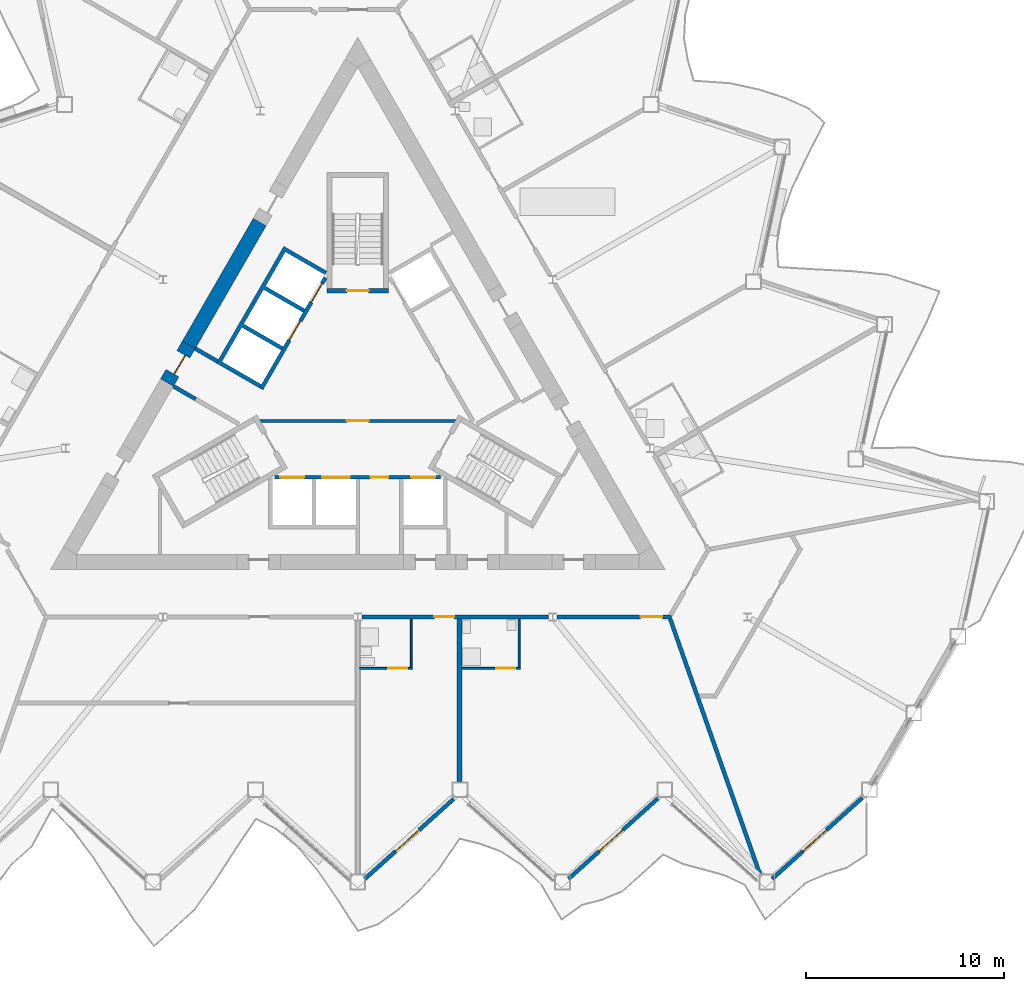
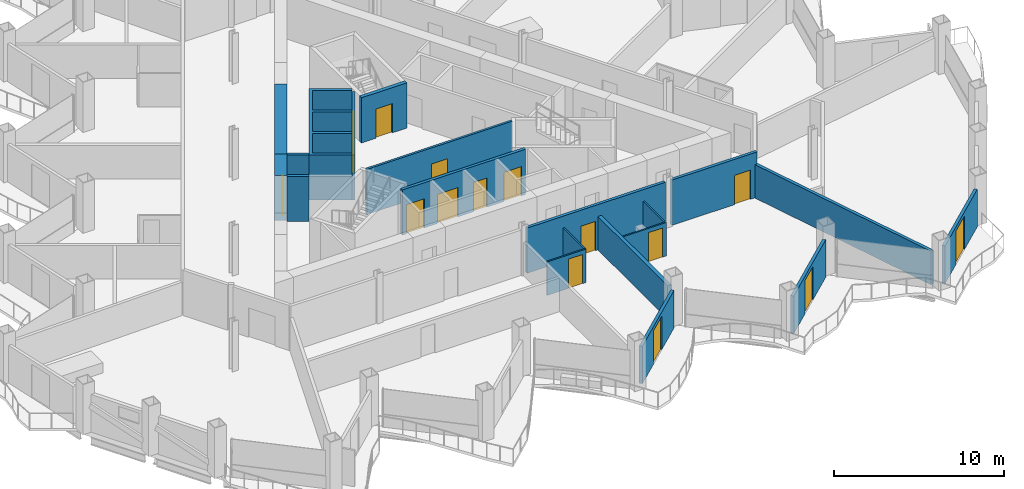
# One storey, part 11 of 22: 20 walls, 16 doors, 16 openings.
"""IFC4 building model written with IfcOpenShell, lengths in metres."""

import ifcopenshell
import ifcopenshell.guid

model = None  # the IFC model being written
_history = None  # IfcOwnerHistory: only IFC2X3 demands one
_inside = {}  # id of a spatial element -> (the spatial element, [elements in it])
_under = {}  # id of a project, library or spatial element -> (it, [spatial elements below it])
_declared = {}  # id of a project -> (the project, [libraries it declares])
_typed = {}  # id of a type object -> (the type object, [elements of that type])
_made_of = {}  # id of a material, layer set ... -> (it, [elements and type objects made of it])


def new_model(schema):
    """Start an empty IFC model of exactly this schema.

    Asked for "IFC4X3", IfcOpenShell would pick the latest addendum, in which some entities
    have other attributes; the version numbers below select the first issue.
    IFC2X3 requires an IfcOwnerHistory on every rooted entity: one is made here for all.
    """
    global model, _history
    if schema == "IFC4X3":
        model = ifcopenshell.file(schema_version=(4, 3, 0, 0))
    else:
        model = ifcopenshell.file(schema=schema)
    _inside.clear()
    _under.clear()
    _declared.clear()
    _typed.clear()
    _made_of.clear()
    _history = None
    if model.schema == "IFC2X3":
        org = make("IfcOrganization", Name="unknown")
        user = make(
            "IfcPersonAndOrganization",
            ThePerson=make("IfcPerson", FamilyName="unknown"),
            TheOrganization=org,
        )
        app = make(
            "IfcApplication",
            ApplicationDeveloper=org,
            Version="unknown",
            ApplicationFullName="unknown",
            ApplicationIdentifier="unknown",
        )
        _history = make(
            "IfcOwnerHistory",
            OwningUser=user,
            OwningApplication=app,
            ChangeAction="ADDED",
            CreationDate=0,
        )
    return model


def make(cls, **values):
    """One entity of the class cls with the attributes given. An attribute that is None is left unset."""
    return model.create_entity(
        cls, **{name: value for name, value in values.items() if value is not None}
    )


def rooted(cls, **values):
    """An entity with a GlobalId (a new one), such as an element, a storey or a relation."""
    return make(cls, GlobalId=ifcopenshell.guid.new(), OwnerHistory=_history, **values)


def si_unit(unit_type, name, prefix=None):
    """IfcSIUnit, for example si_unit("LENGTHUNIT", "METRE", prefix="MILLI")."""
    return make("IfcSIUnit", UnitType=unit_type, Prefix=prefix, Name=name)


def assignment(units):
    """IfcUnitAssignment: the units of a project."""
    return None if units is None else make("IfcUnitAssignment", Units=units)


def point(xyz):
    """IfcCartesianPoint."""
    return None if xyz is None else make("IfcCartesianPoint", Coordinates=xyz)


def direction(xyz):
    """IfcDirection."""
    return None if xyz is None else make("IfcDirection", DirectionRatios=xyz)


def frame(location, z_axis=None, x_axis=None):
    """IfcAxis2Placement3D, a coordinate frame: its origin and axes. An axis left out is left unset."""
    return make(
        "IfcAxis2Placement3D",
        Location=point(location),
        Axis=direction(z_axis),
        RefDirection=direction(x_axis),
    )


def frame_2d(location, x_axis=None):
    """IfcAxis2Placement2D, a coordinate frame in the plane: its origin and x axis."""
    return make(
        "IfcAxis2Placement2D", Location=point(location), RefDirection=direction(x_axis)
    )


def origin():
    """The frame at (0, 0, 0) with its axes left unset."""
    return frame((0.0, 0.0, 0.0))


def place(relative_to, where):
    """IfcLocalPlacement: puts the frame where relative to a parent placement (None: the world)."""
    return make(
        "IfcLocalPlacement", PlacementRelTo=relative_to, RelativePlacement=where
    )


def context(
    kind, dimensions, precision=None, world=None, true_north=None, identifier=None
):
    """IfcGeometricRepresentationContext, for example the 3D "Model" context."""
    return make(
        "IfcGeometricRepresentationContext",
        ContextIdentifier=identifier,
        ContextType=kind,
        CoordinateSpaceDimension=dimensions,
        Precision=precision,
        WorldCoordinateSystem=world,
        TrueNorth=true_north,
    )


def subcontext(parent, identifier, kind, view, scale=None):
    """IfcGeometricRepresentationSubContext, for example "Body" below "Model"."""
    return make(
        "IfcGeometricRepresentationSubContext",
        ContextIdentifier=identifier,
        ContextType=kind,
        ParentContext=parent,
        TargetScale=scale,
        TargetView=view,
    )


def project(units=None, contexts=None):
    """IfcProject with its units and contexts."""
    return rooted(
        "IfcProject",
        Name="project",
        RepresentationContexts=contexts,
        UnitsInContext=assignment(units),
    )


def spatial(cls, under=None, at=None, **own):
    """A site, building, storey or space (cls), placed at a placement, below another one or the project."""
    s = rooted(cls, ObjectPlacement=at, **own)
    if under is not None:
        _under.setdefault(under.id(), (under, []))[1].append(s)
    return s


def polyline(points):
    """IfcPolyline through the points."""
    return make("IfcPolyline", Points=[point(p) for p in points])


def profile(cls, at=None, kind="AREA", **sizes):
    """A parametric profile (cls). Its sizes go by their IFC names, for example OverallWidth=200.0."""
    return make(cls, ProfileType=kind, Position=at, **sizes)


def rectangle(**sizes):
    """IfcRectangleProfileDef."""
    return profile("IfcRectangleProfileDef", **sizes)


def outline(outer, holes=None, kind="AREA"):
    """IfcArbitraryClosedProfileDef: a profile drawn as a closed curve; with holes, ...WithVoids."""
    if holes is None:
        return make("IfcArbitraryClosedProfileDef", ProfileType=kind, OuterCurve=outer)
    return make(
        "IfcArbitraryProfileDefWithVoids",
        ProfileType=kind,
        OuterCurve=outer,
        InnerCurves=holes,
    )


def extrude(swept, where, along, depth):
    """IfcExtrudedAreaSolid: the profile swept, set in the frame where, extruded along a direction by depth."""
    return make(
        "IfcExtrudedAreaSolid",
        SweptArea=swept,
        Position=where,
        ExtrudedDirection=direction(along),
        Depth=depth,
    )


def shape(context_of_items, identifier, shape_type, items):
    """IfcShapeRepresentation: the items that make up one representation, for example the "Body"."""
    return make(
        "IfcShapeRepresentation",
        ContextOfItems=context_of_items,
        RepresentationIdentifier=identifier,
        RepresentationType=shape_type,
        Items=items,
    )


def material(Name=None, Category=None):
    """IfcMaterial."""
    return make("IfcMaterial", Name=Name, Category=Category)


def layer(
    of_material, thickness, ventilated=None, Name=None, Category=None, Priority=None
):
    """IfcMaterialLayer: one layer of a wall or slab, of a material (None: an air gap)."""
    return make(
        "IfcMaterialLayer",
        Material=of_material,
        LayerThickness=thickness,
        IsVentilated=ventilated,
        Name=Name,
        Category=Category,
        Priority=Priority,
    )


def layer_set(layers, Name=None):
    """IfcMaterialLayerSet."""
    return make("IfcMaterialLayerSet", MaterialLayers=layers, LayerSetName=Name)


def made_of(thing, what):
    """Note that an element or type object is made of a material, layer set ...; save() writes the relation."""
    if what is not None:
        _made_of.setdefault(what.id(), (what, []))[1].append(thing)
    return thing


def type_object(cls, material=None, **own):
    """A type object (cls), such as IfcWallType, which elements share."""
    return made_of(rooted(cls, **own), material)


def element(
    cls,
    number,
    at=None,
    inside=None,
    cuts=None,
    type_object=None,
    material=None,
    context=None,
    identifier="Body",
    shape_type=None,
    held_by="IfcProductDefinitionShape",
    body=None,
    shapes=None,
    **own,
):
    """One element of the class cls, such as IfcWall. Its Tag is "e" and its number.

    at: its placement. inside: the storey or other place that contains it. cuts: it is an
    opening in that element (IfcRelVoidsElement). A single representation is given by context,
    identifier, shape_type and body (its items); several are given by shapes. held_by: the class
    of the entity that holds the representations. save() writes the other relations.
    """
    e = rooted(cls, Tag="e%d" % number, ObjectPlacement=at, **own)
    if body is not None:
        shapes = [shape(context, identifier, shape_type, body)]
    if shapes is not None:
        e.Representation = make(held_by, Representations=shapes)
    if inside is not None:
        _inside.setdefault(inside.id(), (inside, []))[1].append(e)
    if cuts is not None:
        rooted(
            "IfcRelVoidsElement", RelatingBuildingElement=cuts, RelatedOpeningElement=e
        )
    if type_object is not None:
        _typed.setdefault(type_object.id(), (type_object, []))[1].append(e)
    return made_of(e, material)


def fill(opening, filler):
    """IfcRelFillsElement: the door or window that sits in an opening."""
    return rooted(
        "IfcRelFillsElement",
        RelatingOpeningElement=opening,
        RelatedBuildingElement=filler,
    )


def aggregate(whole, parts):
    """IfcRelAggregates: a whole, such as a stair, and the parts it consists of."""
    return rooted("IfcRelAggregates", RelatingObject=whole, RelatedObjects=parts)


def save(model, path):
    """Write the relations noted so far, then the file.

    IfcRelAggregates (storeys below a building ...), IfcRelContainedInSpatialStructure (elements
    in a storey), IfcRelDefinesByType, IfcRelAssociatesMaterial and IfcRelDeclares: one each for
    every whole, place, type object, material and project.
    """
    for whole, parts in _under.values():
        aggregate(whole, parts)
    for where, things in _inside.values():
        rooted(
            "IfcRelContainedInSpatialStructure",
            RelatedElements=things,
            RelatingStructure=where,
        )
    for kind, things in _typed.values():
        rooted("IfcRelDefinesByType", RelatedObjects=things, RelatingType=kind)
    for what, things in _made_of.values():
        rooted("IfcRelAssociatesMaterial", RelatedObjects=things, RelatingMaterial=what)
    for by, libraries in _declared.values():
        rooted("IfcRelDeclares", RelatingContext=by, RelatedDefinitions=libraries)
    model.write(path)


model = new_model("IFC4")

# Units and contexts
model_context = context("Model", 3, precision=1e-05, world=origin(), true_north=direction((0.0, 1.0)))
body_context = subcontext(model_context, "Body", "Model", "MODEL_VIEW")
ifc_project = project(units=[si_unit("LENGTHUNIT", "METRE"), si_unit("AREAUNIT", "SQUARE_METRE"), si_unit("VOLUMEUNIT", "CUBIC_METRE"), si_unit("PLANEANGLEUNIT", "RADIAN"), si_unit("MASSUNIT", "GRAM", prefix="KILO")], contexts=[model_context])

# Site, building, storey
site_placement = place(None, origin())
site = spatial("IfcSite", under=ifc_project, at=site_placement, CompositionType="ELEMENT")
building_placement = place(site_placement, origin())
building = spatial("IfcBuilding", under=site, at=building_placement, Name="Cormorant Prow Tower", CompositionType="ELEMENT")
storey_placement = place(building_placement, frame((0.0, 0.0, 198.0)))
storey = spatial("IfcBuildingStorey", under=building, at=storey_placement, Name="L43", CompositionType="ELEMENT", Elevation=198.0)

# Wall, opening, door
ifc_material_1 = material(Name="Gypsum board partition")
ifc_layer_1 = layer(ifc_material_1, 0.14990234375)
ifc_layer_set_1 = layer_set([ifc_layer_1], Name="Gypsum board partition")
wall_type_1 = type_object("IfcWallType", Name="Core partition 150", PredefinedType="PARTITIONING", material=ifc_layer_set_1)
wall_1_placement = place(storey_placement, frame((-4.941162109375, -1.449951171875, 0.0), z_axis=(0.0, 0.0, 1.0), x_axis=(1.0, 0.0, 0.0)))
wall_1 = element("IfcWall", 1, at=wall_1_placement, inside=storey, type_object=wall_type_1, Name="Firefighting lobby partition", PredefinedType="PARTITIONING", context=body_context, shape_type="SweptSolid", body=[
    extrude(rectangle(XDim=9.88232421875, YDim=0.14990234375, at=frame_2d((4.941162109375, 0.0))), origin(), (0.0, 0.0, 1.0), 3.25),
])
opening_1_placement = place(wall_1_placement, frame((4.39111328125, 0.0, 0.0)))
opening_1 = element("IfcOpeningElement", 2, at=opening_1_placement, cuts=wall_1, Name="Opening L43-C09", PredefinedType="OPENING", context=body_context, shape_type="SweptSolid", body=[
    extrude(rectangle(XDim=1.10009765625, YDim=2.10009765625, at=frame_2d((0.550048828125, 1.050048828125))), frame((0.0, 0.0849609375, 0.0), z_axis=(0.0, -1.0, 0.0), x_axis=(1.0, 0.0, 0.0)), (0.0, 0.0, 1.0), 0.169921875),
])
ifc_material_2 = material(Name="Painted steel", Category="steel")
door_type_1 = type_object("IfcDoorType", Name="Firefighting lobby door 1100x2100", OperationType="NOTDEFINED", PredefinedType="DOOR", material=ifc_material_2)
door_1_placement = place(opening_1_placement, origin())
door_1 = element("IfcDoor", 3, at=door_1_placement, inside=storey, type_object=door_type_1, Name="Firefighting lobby door", OperationType="SINGLE_SWING_RIGHT", OverallHeight=2.10009765625, OverallWidth=1.10009765625, PredefinedType="DOOR", context=body_context, shape_type="SweptSolid", body=[
    extrude(rectangle(XDim=1.10009765625, YDim=2.10009765625, at=frame_2d((0.550048828125, 1.050048828125))), frame((0.0, 0.02490234375, 0.0), z_axis=(0.0, -1.0, 0.0), x_axis=(1.0, 0.0, 0.0)), (0.0, 0.0, 1.0), 0.050048828125),
])
fill(opening_1, door_1)

# Wall
ifc_material_3 = material(Name="Concrete 8000 psi", Category="concrete")
ifc_layer_2 = layer(ifc_material_3, 0.75)
ifc_layer_set_2 = layer_set([ifc_layer_2], Name="Concrete 8000 psi")
wall_type_2 = type_object("IfcWallType", Name="Core shear wall 750", PredefinedType="SHEAR", material=ifc_layer_set_2)
wall_2_placement = place(storey_placement, frame((-4.949951171875, 8.57421875, 0.0), z_axis=(0.0, 0.0, 1.0), x_axis=(-0.499987463267, -0.866032641749, 0.0)))
element("IfcWall", 4, at=wall_2_placement, inside=storey, type_object=wall_type_2, Name="Core wall", PredefinedType="SHEAR", context=body_context, shape_type="SweptSolid", body=[
    extrude(rectangle(XDim=7.150634765625, YDim=0.75, at=frame_2d((3.5751953125, 0.0))), origin(), (0.0, 0.0, 1.0), 3.25),
])

# Wall, opening, door
wall_3_placement = place(storey_placement, frame((-8.525146484375, 2.381591796875, 0.0), z_axis=(0.0, 0.0, 1.0), x_axis=(-0.500077893725, -0.86598042715, 0.0)))
wall_3 = element("IfcWall", 5, at=wall_3_placement, inside=storey, type_object=wall_type_2, Name="Core wall door panel", PredefinedType="SHEAR", context=body_context, shape_type="SweptSolid", body=[
    extrude(rectangle(XDim=2.199951171875, YDim=0.75, at=frame_2d((1.10009765625, 0.0))), origin(), (0.0, 0.0, 1.0), 3.25),
])
opening_2_placement = place(wall_3_placement, frame((0.550048828125, 0.0, 0.0)))
opening_2 = element("IfcOpeningElement", 6, at=opening_2_placement, cuts=wall_3, Name="Opening L43-C21", PredefinedType="OPENING", context=body_context, shape_type="SweptSolid", body=[
    extrude(rectangle(XDim=1.10009765625, YDim=2.10009765625, at=frame_2d((0.550048828125, 1.050048828125))), frame((0.0, 0.385009765625, 0.0), z_axis=(0.0, -1.0, 0.0), x_axis=(1.0, 0.0, 0.0)), (0.0, 0.0, 1.0), 0.77001953125),
])
ifc_material_4 = material(Name="Painted steel", Category="steel")
door_type_2 = type_object("IfcDoorType", Name="Core door 1100x2100", OperationType="NOTDEFINED", PredefinedType="DOOR", material=ifc_material_4)
door_2_placement = place(opening_2_placement, origin())
door_2 = element("IfcDoor", 7, at=door_2_placement, inside=storey, type_object=door_type_2, Name="Core door, lift lobby", OperationType="SINGLE_SWING_RIGHT", OverallHeight=2.10009765625, OverallWidth=1.10009765625, PredefinedType="DOOR", context=body_context, shape_type="SweptSolid", body=[
    extrude(rectangle(XDim=1.10009765625, YDim=2.10009765625, at=frame_2d((0.550048828125, 1.050048828125))), frame((0.0, 0.1298828125, 0.0), z_axis=(0.0, -1.0, 0.0), x_axis=(1.0, 0.0, 0.0)), (0.0, 0.0, 1.0), 0.050048828125),
])
fill(opening_2, door_2)

ifc_material_5 = material(Name="Gypsum board corridor wall")
ifc_layer_3 = layer(ifc_material_5, 0.199951171875)
ifc_layer_set_3 = layer_set([ifc_layer_3], Name="Gypsum board corridor wall")
wall_type_3 = type_object("IfcWallType", Name="Corridor wall 200", PredefinedType="PARTITIONING", material=ifc_layer_set_3)
wall_4_placement = place(storey_placement, frame((0.213623046875, -11.348876953125, 0.0), z_axis=(0.0, 0.0, 1.0), x_axis=(1.0, 0.0, 0.0)))
wall_4 = element("IfcWall", 8, at=wall_4_placement, inside=storey, type_object=wall_type_3, Name="Corridor wall", PredefinedType="PARTITIONING", context=body_context, shape_type="SweptSolid", body=[
    extrude(rectangle(XDim=9.401123046875, YDim=0.199951171875, at=frame_2d((4.70068359375, 0.0))), origin(), (0.0, 0.0, 1.0), 3.25),
])
opening_3_placement = place(wall_4_placement, frame((3.650390625, 0.0, 0.0)))
opening_3 = element("IfcOpeningElement", 9, at=opening_3_placement, cuts=wall_4, Name="Opening L43-F03", PredefinedType="OPENING", context=body_context, shape_type="SweptSolid", body=[
    extrude(rectangle(XDim=1.0, YDim=2.10009765625, at=frame_2d((0.5, 1.050048828125))), frame((0.0, 0.10986328125, 0.0), z_axis=(0.0, -1.0, 0.0), x_axis=(1.0, 0.0, 0.0)), (0.0, 0.0, 1.0), 0.219970703125),
])
ifc_material_6 = material(Name="Timber door leaf", Category="wood")
door_type_3 = type_object("IfcDoorType", Name="Flat or room entrance door 1000x2100", OperationType="NOTDEFINED", PredefinedType="DOOR", material=ifc_material_6)
door_3_placement = place(opening_3_placement, origin())
door_3 = element("IfcDoor", 10, at=door_3_placement, inside=storey, type_object=door_type_3, Name="Guest room door", OperationType="SINGLE_SWING_RIGHT", OverallHeight=2.10009765625, OverallWidth=1.0, PredefinedType="DOOR", context=body_context, shape_type="SweptSolid", body=[
    extrude(rectangle(XDim=1.0, YDim=2.10009765625, at=frame_2d((0.5, 1.050048828125))), frame((0.0, 0.02490234375, 0.0), z_axis=(0.0, -1.0, 0.0), x_axis=(1.0, 0.0, 0.0)), (0.0, 0.0, 1.0), 0.050048828125),
])
fill(opening_3, door_3)

wall_5_placement = place(storey_placement, frame((10.042236328125, -11.348876953125, 0.0), z_axis=(0.0, 0.0, 1.0), x_axis=(1.0, 0.0, 0.0)))
wall_5 = element("IfcWall", 11, at=wall_5_placement, inside=storey, type_object=wall_type_3, Name="Corridor wall", PredefinedType="PARTITIONING", context=body_context, shape_type="SweptSolid", body=[
    extrude(rectangle(XDim=5.78857421875, YDim=0.199951171875, at=frame_2d((2.894287109375, 0.0))), origin(), (0.0, 0.0, 1.0), 3.25),
])
opening_4_placement = place(wall_5_placement, frame((4.234375, 0.0, 0.0)))
opening_4 = element("IfcOpeningElement", 12, at=opening_4_placement, cuts=wall_5, Name="Opening L43-F05", PredefinedType="OPENING", context=body_context, shape_type="SweptSolid", body=[
    extrude(rectangle(XDim=1.10009765625, YDim=2.10009765625, at=frame_2d((0.550048828125, 1.050048828125))), frame((0.0, 0.10986328125, 0.0), z_axis=(0.0, -1.0, 0.0), x_axis=(1.0, 0.0, 0.0)), (0.0, 0.0, 1.0), 0.219970703125),
])
ifc_material_7 = material(Name="Timber door leaf", Category="wood")
door_type_4 = type_object("IfcDoorType", Name="Suite entrance door 1100x2100", OperationType="NOTDEFINED", PredefinedType="DOOR", material=ifc_material_7)
door_4_placement = place(opening_4_placement, origin())
door_4 = element("IfcDoor", 13, at=door_4_placement, inside=storey, type_object=door_type_4, Name="Executive suite bedroom door", OperationType="SINGLE_SWING_RIGHT", OverallHeight=2.10009765625, OverallWidth=1.10009765625, PredefinedType="DOOR", context=body_context, shape_type="SweptSolid", body=[
    extrude(rectangle(XDim=1.10009765625, YDim=2.10009765625, at=frame_2d((0.550048828125, 1.050048828125))), frame((0.0, 0.02490234375, 0.0), z_axis=(0.0, -1.0, 0.0), x_axis=(1.0, 0.0, 0.0)), (0.0, 0.0, 1.0), 0.050048828125),
])
fill(opening_4, door_4)

# Wall
ifc_material_8 = material(Name="Gypsum board demising wall")
ifc_layer_4 = layer(ifc_material_8, 0.199951171875)
ifc_layer_set_4 = layer_set([ifc_layer_4], Name="Gypsum board demising wall")
wall_type_4 = type_object("IfcWallType", Name="Demising wall 200", PredefinedType="PARTITIONING", material=ifc_layer_set_4)
wall_6_placement = place(storey_placement, frame((15.763916015625, -11.443359375, 0.0), z_axis=(0.0, 0.0, 1.0), x_axis=(0.331517429591, -0.943449094481, 0.0)))
element("IfcWall", 14, at=wall_6_placement, inside=storey, type_object=wall_type_4, Name="Demising wall", PredefinedType="PARTITIONING", context=body_context, shape_type="SweptSolid", body=[
    extrude(rectangle(XDim=13.639404296875, YDim=0.199951171875, at=frame_2d((6.81982421875, 0.0))), origin(), (0.0, 0.0, 1.0), 2.404296875),
])

# Wall, opening, door
ifc_material_9 = material(Name="Gypsum board partition")
ifc_layer_5 = layer(ifc_material_9, 0.10009765625)
ifc_layer_set_5 = layer_set([ifc_layer_5], Name="Gypsum board partition")
wall_type_5 = type_object("IfcWallType", Name="Internal partition 100", PredefinedType="PARTITIONING", material=ifc_layer_set_5)
wall_7_placement = place(storey_placement, frame((5.263427734375, -13.948974609375, 0.0), z_axis=(0.0, 0.0, 1.0), x_axis=(1.0, 0.0, 0.0)))
wall_7 = element("IfcWall", 15, at=wall_7_placement, inside=storey, type_object=wall_type_5, Name="Internal partition", PredefinedType="PARTITIONING", context=body_context, shape_type="SweptSolid", body=[
    extrude(rectangle(XDim=2.925048828125, YDim=0.10009765625, at=frame_2d((1.46240234375, 0.0))), origin(), (0.0, 0.0, 1.0), 2.404296875),
])
opening_5_placement = place(wall_7_placement, frame((1.72509765625, 0.0, 0.0)))
opening_5 = element("IfcOpeningElement", 16, at=opening_5_placement, cuts=wall_7, Name="Opening L43-F06", PredefinedType="OPENING", context=body_context, shape_type="SweptSolid", body=[
    extrude(rectangle(XDim=0.949951171875, YDim=2.10009765625, at=frame_2d((0.47509765625, 1.050048828125))), frame((0.0, 0.06005859375, 0.0), z_axis=(0.0, -1.0, 0.0), x_axis=(1.0, 0.0, 0.0)), (0.0, 0.0, 1.0), 0.1201171875),
])
ifc_material_10 = material(Name="Timber door leaf", Category="wood")
door_type_5 = type_object("IfcDoorType", Name="Bathroom door 950x2100", OperationType="NOTDEFINED", PredefinedType="DOOR", material=ifc_material_10)
door_5_placement = place(opening_5_placement, origin())
door_5 = element("IfcDoor", 17, at=door_5_placement, inside=storey, type_object=door_type_5, Name="Executive suite bedroom door", OperationType="SINGLE_SWING_RIGHT", OverallHeight=2.10009765625, OverallWidth=0.949951171875, PredefinedType="DOOR", context=body_context, shape_type="SweptSolid", body=[
    extrude(rectangle(XDim=0.949951171875, YDim=2.10009765625, at=frame_2d((0.47509765625, 1.050048828125))), frame((0.0, 0.02490234375, 0.0), z_axis=(0.0, -1.0, 0.0), x_axis=(1.0, 0.0, 0.0)), (0.0, 0.0, 1.0), 0.050048828125),
])
fill(opening_5, door_5)

wall_8_placement = place(storey_placement, frame((0.10009765625, -13.948974609375, 0.0), z_axis=(0.0, 0.0, 1.0), x_axis=(1.0, 0.0, 0.0)))
wall_8 = element("IfcWall", 18, at=wall_8_placement, inside=storey, type_object=wall_type_5, Name="Internal partition", PredefinedType="PARTITIONING", context=body_context, shape_type="SweptSolid", body=[
    extrude(rectangle(XDim=2.64990234375, YDim=0.10009765625, at=frame_2d((1.324951171875, 0.0))), origin(), (0.0, 0.0, 1.0), 2.404296875),
])
opening_6_placement = place(wall_8_placement, frame((1.449951171875, 0.0, 0.0)))
opening_6 = element("IfcOpeningElement", 19, at=opening_6_placement, cuts=wall_8, Name="Opening L43-F04", PredefinedType="OPENING", context=body_context, shape_type="SweptSolid", body=[
    extrude(rectangle(XDim=0.949951171875, YDim=2.10009765625, at=frame_2d((0.47509765625, 1.050048828125))), frame((0.0, 0.06005859375, 0.0), z_axis=(0.0, -1.0, 0.0), x_axis=(1.0, 0.0, 0.0)), (0.0, 0.0, 1.0), 0.1201171875),
])
door_6_placement = place(opening_6_placement, origin())
door_6 = element("IfcDoor", 20, at=door_6_placement, inside=storey, type_object=door_type_5, Name="Guest room door", OperationType="SINGLE_SWING_RIGHT", OverallHeight=2.10009765625, OverallWidth=0.949951171875, PredefinedType="DOOR", context=body_context, shape_type="SweptSolid", body=[
    extrude(rectangle(XDim=0.949951171875, YDim=2.10009765625, at=frame_2d((0.47509765625, 1.050048828125))), frame((0.0, 0.02490234375, 0.0), z_axis=(0.0, -1.0, 0.0), x_axis=(1.0, 0.0, 0.0)), (0.0, 0.0, 1.0), 0.050048828125),
])
fill(opening_6, door_6)

# Walls
for number, where, z_axis, x_axis, name in (
    (21, (2.699951171875, -13.89892578125, 0.0), (0.0, 0.0, 1.0), (0.0, 1.0, 0.0), "Internal partition"),
    (22, (8.138427734375, -13.89892578125, 0.0), (0.0, 0.0, 1.0), (0.0, 1.0, 0.0), "Internal partition"),
):
    element("IfcWall", number, at=place(storey_placement, frame(where, z_axis=z_axis, x_axis=x_axis)), inside=storey, type_object=wall_type_5, Name=name, PredefinedType="PARTITIONING", context=body_context, shape_type="SweptSolid", body=[
        extrude(rectangle(XDim=2.449951171875, YDim=0.10009765625, at=frame_2d((1.22509765625, 0.0))), origin(), (0.0, 0.0, 1.0), 2.404296875),
    ])

# Wall, openings, doors
ifc_material_11 = material(Name="Concrete 5000 psi", Category="concrete")
ifc_layer_6 = layer(ifc_material_11, 0.199951171875)
ifc_layer_set_6 = layer_set([ifc_layer_6], Name="Concrete 5000 psi")
wall_type_6 = type_object("IfcWallType", Name="Lift lobby wall 200", PredefinedType="SOLIDWALL", material=ifc_layer_set_6)
wall_9_placement = place(storey_placement, frame((-4.1865234375, -4.300048828125, 0.0), z_axis=(0.0, 0.0, 1.0), x_axis=(1.0, 0.0, 0.0)))
wall_9 = element("IfcWall", 23, at=wall_9_placement, inside=storey, type_object=wall_type_6, Name="Lift lobby wall, S block", PredefinedType="SOLIDWALL", context=body_context, shape_type="SweptSolid", body=[
    extrude(rectangle(XDim=8.373046875, YDim=0.199951171875, at=frame_2d((4.1865234375, 0.0))), origin(), (0.0, 0.0, 1.0), 3.25),
])
opening_7_placement = place(wall_9_placement, frame((0.28662109375, 0.0, 0.0)))
opening_7 = element("IfcOpeningElement", 24, at=opening_7_placement, cuts=wall_9, Name="Opening L43-C01", PredefinedType="OPENING", context=body_context, shape_type="SweptSolid", body=[
    extrude(rectangle(XDim=1.199951171875, YDim=2.10009765625, at=frame_2d((0.60009765625, 1.050048828125))), frame((0.0, 0.10986328125, 0.0), z_axis=(0.0, -1.0, 0.0), x_axis=(1.0, 0.0, 0.0)), (0.0, 0.0, 1.0), 0.219970703125),
])
opening_8_placement = place(wall_9_placement, frame((2.38671875, 0.0, 0.0)))
opening_8 = element("IfcOpeningElement", 25, at=opening_8_placement, cuts=wall_9, Name="Opening L43-C02", PredefinedType="OPENING", context=body_context, shape_type="SweptSolid", body=[
    extrude(rectangle(XDim=1.39990234375, YDim=2.10009765625, at=frame_2d((0.699951171875, 1.050048828125))), frame((0.0, 0.10986328125, 0.0), z_axis=(0.0, -1.0, 0.0), x_axis=(1.0, 0.0, 0.0)), (0.0, 0.0, 1.0), 0.219970703125),
])
opening_9_placement = place(wall_9_placement, frame((4.836669921875, 0.0, 0.0)))
opening_9 = element("IfcOpeningElement", 26, at=opening_9_placement, cuts=wall_9, Name="Opening L43-C03", PredefinedType="OPENING", context=body_context, shape_type="SweptSolid", body=[
    extrude(rectangle(XDim=0.89990234375, YDim=2.10009765625, at=frame_2d((0.449951171875, 1.050048828125))), frame((0.0, 0.10986328125, 0.0), z_axis=(0.0, -1.0, 0.0), x_axis=(1.0, 0.0, 0.0)), (0.0, 0.0, 1.0), 0.219970703125),
])
opening_10_placement = place(wall_9_placement, frame((6.88671875, 0.0, 0.0)))
opening_10 = element("IfcOpeningElement", 27, at=opening_10_placement, cuts=wall_9, Name="Opening L43-C04", PredefinedType="OPENING", context=body_context, shape_type="SweptSolid", body=[
    extrude(rectangle(XDim=1.199951171875, YDim=2.10009765625, at=frame_2d((0.60009765625, 1.050048828125))), frame((0.0, 0.10986328125, 0.0), z_axis=(0.0, -1.0, 0.0), x_axis=(1.0, 0.0, 0.0)), (0.0, 0.0, 1.0), 0.219970703125),
])
ifc_material_12 = material(Name="Painted steel", Category="steel")
door_type_6 = type_object("IfcDoorType", Name="Firefighting lift landing door 1200x2100", OperationType="SLIDING_TO_LEFT", PredefinedType="DOOR", material=ifc_material_12)
door_7_placement = place(opening_7_placement, origin())
door_7 = element("IfcDoor", 28, at=door_7_placement, inside=storey, type_object=door_type_6, Name="Landing door FL1", OperationType="SLIDING_TO_LEFT", OverallHeight=2.10009765625, OverallWidth=1.199951171875, PredefinedType="DOOR", context=body_context, shape_type="SweptSolid", body=[
    extrude(rectangle(XDim=1.199951171875, YDim=2.10009765625, at=frame_2d((0.60009765625, 1.050048828125))), frame((0.0, 0.02490234375, 0.0), z_axis=(0.0, -1.0, 0.0), x_axis=(1.0, 0.0, 0.0)), (0.0, 0.0, 1.0), 0.050048828125),
])
fill(opening_7, door_7)
door_8_placement = place(opening_10_placement, origin())
door_8 = element("IfcDoor", 29, at=door_8_placement, inside=storey, type_object=door_type_6, Name="Landing door FL2", OperationType="SLIDING_TO_LEFT", OverallHeight=2.10009765625, OverallWidth=1.199951171875, PredefinedType="DOOR", context=body_context, shape_type="SweptSolid", body=[
    extrude(rectangle(XDim=1.199951171875, YDim=2.10009765625, at=frame_2d((0.60009765625, 1.050048828125))), frame((0.0, 0.02490234375, 0.0), z_axis=(0.0, -1.0, 0.0), x_axis=(1.0, 0.0, 0.0)), (0.0, 0.0, 1.0), 0.050048828125),
])
fill(opening_10, door_8)
ifc_material_13 = material(Name="Painted steel", Category="steel")
door_type_7 = type_object("IfcDoorType", Name="Service door 900x2100", OperationType="NOTDEFINED", PredefinedType="DOOR", material=ifc_material_13)
door_9_placement = place(opening_9_placement, origin())
door_9 = element("IfcDoor", 30, at=door_9_placement, inside=storey, type_object=door_type_7, Name="Service door, Refuse store", OperationType="SINGLE_SWING_RIGHT", OverallHeight=2.10009765625, OverallWidth=0.89990234375, PredefinedType="DOOR", context=body_context, shape_type="SweptSolid", body=[
    extrude(rectangle(XDim=0.89990234375, YDim=2.10009765625, at=frame_2d((0.449951171875, 1.050048828125))), frame((0.0, 0.02490234375, 0.0), z_axis=(0.0, -1.0, 0.0), x_axis=(1.0, 0.0, 0.0)), (0.0, 0.0, 1.0), 0.050048828125),
])
fill(opening_9, door_9)
ifc_material_14 = material(Name="Painted steel", Category="steel")
door_type_8 = type_object("IfcDoorType", Name="Service lift landing door 1400x2100", OperationType="SLIDING_TO_LEFT", PredefinedType="DOOR", material=ifc_material_14)
door_10_placement = place(opening_8_placement, origin())
door_10 = element("IfcDoor", 31, at=door_10_placement, inside=storey, type_object=door_type_8, Name="Landing door SL1", OperationType="SLIDING_TO_LEFT", OverallHeight=2.10009765625, OverallWidth=1.39990234375, PredefinedType="DOOR", context=body_context, shape_type="SweptSolid", body=[
    extrude(rectangle(XDim=1.39990234375, YDim=2.10009765625, at=frame_2d((0.699951171875, 1.050048828125))), frame((0.0, 0.02490234375, 0.0), z_axis=(0.0, -1.0, 0.0), x_axis=(1.0, 0.0, 0.0)), (0.0, 0.0, 1.0), 0.050048828125),
])
fill(opening_8, door_10)

wall_10_placement = place(storey_placement, frame((-1.630615234375, 5.775634765625, 0.0), z_axis=(0.0, 0.0, 1.0), x_axis=(-0.499992876559, -0.866029516466, 0.0)))
wall_10 = element("IfcWall", 32, at=wall_10_placement, inside=storey, type_object=wall_type_6, Name="Lift lobby wall, WNW block", PredefinedType="SOLIDWALL", context=body_context, shape_type="SweptSolid", body=[
    extrude(rectangle(XDim=6.486328125, YDim=0.199951171875, at=frame_2d((3.2431640625, 0.0))), origin(), (0.0, 0.0, 1.0), 3.25),
])
opening_11_placement = place(wall_10_placement, frame((0.336669921875, 0.0, 0.0)))
opening_11 = element("IfcOpeningElement", 33, at=opening_11_placement, cuts=wall_10, Name="Opening L43-C07", PredefinedType="OPENING", context=body_context, shape_type="SweptSolid", body=[
    extrude(rectangle(XDim=1.10009765625, YDim=2.10009765625, at=frame_2d((0.550048828125, 1.050048828125))), frame((0.0, 0.10986328125, 0.0), z_axis=(0.0, -1.0, 0.0), x_axis=(1.0, 0.0, 0.0)), (0.0, 0.0, 1.0), 0.219970703125),
])
opening_12_placement = place(wall_10_placement, frame((2.53662109375, 0.0, 0.0)))
opening_12 = element("IfcOpeningElement", 34, at=opening_12_placement, cuts=wall_10, Name="Opening L43-C08", PredefinedType="OPENING", context=body_context, shape_type="SweptSolid", body=[
    extrude(rectangle(XDim=1.10009765625, YDim=2.10009765625, at=frame_2d((0.550048828125, 1.050048828125))), frame((0.0, 0.10986328125, 0.0), z_axis=(0.0, -1.0, 0.0), x_axis=(1.0, 0.0, 0.0)), (0.0, 0.0, 1.0), 0.219970703125),
])
ifc_material_15 = material(Name="Painted steel", Category="steel")
door_type_9 = type_object("IfcDoorType", Name="Lift landing door 1100x2100", OperationType="SLIDING_TO_LEFT", PredefinedType="DOOR", material=ifc_material_15)
door_11_placement = place(opening_11_placement, origin())
door_11 = element("IfcDoor", 35, at=door_11_placement, inside=storey, type_object=door_type_9, Name="Landing door MR2", OperationType="SLIDING_TO_LEFT", OverallHeight=2.10009765625, OverallWidth=1.10009765625, PredefinedType="DOOR", context=body_context, shape_type="SweptSolid", body=[
    extrude(rectangle(XDim=1.10009765625, YDim=2.10009765625, at=frame_2d((0.550048828125, 1.050048828125))), frame((0.0, 0.02490234375, 0.0), z_axis=(0.0, -1.0, 0.0), x_axis=(1.0, 0.0, 0.0)), (0.0, 0.0, 1.0), 0.050048828125),
])
fill(opening_11, door_11)
door_12_placement = place(opening_12_placement, origin())
door_12 = element("IfcDoor", 36, at=door_12_placement, inside=storey, type_object=door_type_9, Name="Landing door MR3", OperationType="SLIDING_TO_LEFT", OverallHeight=2.10009765625, OverallWidth=1.10009765625, PredefinedType="DOOR", context=body_context, shape_type="SweptSolid", body=[
    extrude(rectangle(XDim=1.10009765625, YDim=2.10009765625, at=frame_2d((0.550048828125, 1.050048828125))), frame((0.0, 0.02490234375, 0.0), z_axis=(0.0, -1.0, 0.0), x_axis=(1.0, 0.0, 0.0)), (0.0, 0.0, 1.0), 0.050048828125),
])
fill(opening_12, door_12)

# Walls
ifc_material_16 = material(Name="Concrete 8000 psi", Category="concrete")
ifc_layer_7 = layer(ifc_material_16, 0.199951171875)
ifc_layer_set_7 = layer_set([ifc_layer_7], Name="Concrete 8000 psi")
wall_type_7 = type_object("IfcWallType", Name="Lift shaft wall 200", PredefinedType="SHEAR", material=ifc_layer_set_7)
wall_11_placement = place(storey_placement, origin())
element("IfcWall", 37, at=wall_11_placement, inside=storey, type_object=wall_type_7, Name="Lift shaft walls, WNW block", PredefinedType="SHEAR", context=body_context, shape_type="SweptSolid", body=[
    extrude(outline(polyline([(-4.96044921875, 0.2080078125), (-7.130859375, 1.461181640625), (-3.730712890625, 7.35009765625), (-1.560546875, 6.09716796875), (-1.660400390625, 5.923828125), (-3.65234375, 7.073974609375), (-4.65234375, 5.341796875), (-2.660400390625, 4.19189453125), (-2.760498046875, 4.018798828125), (-4.75244140625, 5.168701171875), (-5.75244140625, 3.4365234375), (-3.760498046875, 2.28662109375), (-3.860595703125, 2.11328125), (-5.852294921875, 3.263427734375), (-6.852294921875, 1.53125), (-4.860595703125, 0.38134765625), (-4.96044921875, 0.2080078125)])), origin(), (0.0, 0.0, 1.0), 3.25),
])
for number, where, z_axis, x_axis, name in (
    (38, (-7.080810546875, 1.547607421875, 0.0), (0.0, 0.0, 1.0), (-0.866003189247, 0.500038474733, 0.0), "Lobby passage wall"),
    (39, (-8.180908203125, -0.357421875, 0.0), (0.0, 0.0, 1.0), (-0.866003189247, 0.500038474733, 0.0), "Lobby passage wall"),
):
    element("IfcWall", number, at=place(storey_placement, frame(where, z_axis=z_axis, x_axis=x_axis)), inside=storey, type_object=wall_type_7, Name=name, PredefinedType="SHEAR", context=body_context, shape_type="SweptSolid", body=[
        extrude(rectangle(XDim=1.29296875, YDim=0.199951171875, at=frame_2d((0.646484375, 0.0))), origin(), (0.0, 0.0, 1.0), 3.25),
    ])

# Wall, opening, door
ifc_material_17 = material(Name="Concrete 8000 psi", Category="concrete")
ifc_layer_8 = layer(ifc_material_17, 0.25)
ifc_layer_set_8 = layer_set([ifc_layer_8], Name="Concrete 8000 psi")
wall_type_8 = type_object("IfcWallType", Name="Stair wall 250", PredefinedType="SHEAR", material=ifc_layer_set_8)
wall_12_placement = place(storey_placement, frame((1.5439453125, 5.11181640625, 0.0), z_axis=(0.0, 0.0, 1.0), x_axis=(-1.0, 0.0, 0.0)))
wall_12 = element("IfcWall", 40, at=wall_12_placement, inside=storey, type_object=wall_type_8, Name="Stair ST3 door wall", PredefinedType="SHEAR", context=body_context, shape_type="SweptSolid", body=[
    extrude(rectangle(XDim=3.087890625, YDim=0.25, at=frame_2d((1.5439453125, 0.0))), origin(), (0.0, 0.0, 1.0), 3.25),
])
opening_13_placement = place(wall_12_placement, frame((0.993896484375, 0.0, 0.0)))
opening_13 = element("IfcOpeningElement", 41, at=opening_13_placement, cuts=wall_12, Name="Opening L43-C12", PredefinedType="OPENING", context=body_context, shape_type="SweptSolid", body=[
    extrude(rectangle(XDim=1.10009765625, YDim=2.10009765625, at=frame_2d((0.550048828125, 1.050048828125))), frame((0.0, 0.135009765625, 0.0), z_axis=(0.0, -1.0, 0.0), x_axis=(1.0, 0.0, 0.0)), (0.0, 0.0, 1.0), 0.27001953125),
])
ifc_material_18 = material(Name="Painted steel", Category="steel")
door_type_10 = type_object("IfcDoorType", Name="Stair door 1100x2100", OperationType="NOTDEFINED", PredefinedType="DOOR", material=ifc_material_18)
door_13_placement = place(opening_13_placement, origin())
door_13 = element("IfcDoor", 42, at=door_13_placement, inside=storey, type_object=door_type_10, Name="Stair ST3 door", OperationType="SINGLE_SWING_LEFT", OverallHeight=2.10009765625, OverallWidth=1.10009765625, PredefinedType="DOOR", context=body_context, shape_type="SweptSolid", body=[
    extrude(rectangle(XDim=1.10009765625, YDim=2.10009765625, at=frame_2d((0.550048828125, 1.050048828125))), frame((0.0, 0.02490234375, 0.0), z_axis=(0.0, -1.0, 0.0), x_axis=(1.0, 0.0, 0.0)), (0.0, 0.0, 1.0), 0.050048828125),
])
fill(opening_13, door_13)

# Wall
ifc_material_19 = material(Name="Acoustic gypsum party wall")
ifc_layer_9 = layer(ifc_material_19, 0.25)
ifc_layer_set_9 = layer_set([ifc_layer_9], Name="Acoustic gypsum party wall")
wall_type_9 = type_object("IfcWallType", Name="Suite party wall 250", PredefinedType="PARTITIONING", material=ifc_layer_set_9)
wall_13_placement = place(storey_placement, frame((5.138427734375, -19.661376953125, 0.0), z_axis=(0.0, 0.0, 1.0), x_axis=(0.0, 1.0, 0.0)))
element("IfcWall", 43, at=wall_13_placement, inside=storey, type_object=wall_type_9, Name="Suite party wall", PredefinedType="PARTITIONING", context=body_context, shape_type="SweptSolid", body=[
    extrude(rectangle(XDim=8.21240234375, YDim=0.25, at=frame_2d((4.106201171875, 0.0))), origin(), (0.0, 0.0, 1.0), 2.404296875),
])

# Wall, opening, door
ifc_material_20 = material(Name="Terracotta", Category="masonry")
ifc_layer_10 = layer(ifc_material_20, 0.199951171875)
ifc_layer_set_10 = layer_set([ifc_layer_10], Name="Terracotta")
wall_type_10 = type_object("IfcWallType", Name="Terracotta jamb wall 200", PredefinedType="SOLIDWALL", material=ifc_layer_set_10)
wall_14_placement = place(storey_placement, frame((0.355224609375, -24.5712890625, 0.0), z_axis=(0.0, 0.0, 1.0), x_axis=(0.743151394339, 0.669123310827, 0.0)))
wall_14 = element("IfcWall", 44, at=wall_14_placement, inside=storey, type_object=wall_type_10, Name="Terracotta jamb wall S05", PredefinedType="SOLIDWALL", context=body_context, shape_type="SweptSolid", body=[
    extrude(rectangle(XDim=6.03857421875, YDim=0.199951171875, at=frame_2d((3.019287109375, 0.0))), origin(), (0.0, 0.0, 1.0), 2.700927734375),
])
opening_14_placement = place(wall_14_placement, frame((2.08935546875, 0.0, 0.0)))
opening_14 = element("IfcOpeningElement", 45, at=opening_14_placement, cuts=wall_14, Name="Opening ED43.03", PredefinedType="OPENING", context=body_context, shape_type="SweptSolid", body=[
    extrude(rectangle(XDim=1.60009765625, YDim=2.39990234375, at=frame_2d((0.800048828125, 1.199951171875))), frame((0.0, 0.10986328125, 0.0), z_axis=(0.0, -1.0, 0.0), x_axis=(1.0, 0.0, 0.0)), (0.0, 0.0, 1.0), 0.219970703125),
])
ifc_material_21 = material(Name="Aluminium 6063-T6", Category="aluminium")
door_type_11 = type_object("IfcDoorType", Name="Balcony door 1600x2400", OperationType="DOUBLE_DOOR_SINGLE_SWING", PredefinedType="DOOR", material=ifc_material_21)
door_14_placement = place(opening_14_placement, origin())
door_14 = element("IfcDoor", 46, at=door_14_placement, inside=storey, type_object=door_type_11, Name="Balcony door S05 ED43.03", OperationType="DOUBLE_DOOR_SINGLE_SWING", OverallHeight=2.39990234375, OverallWidth=1.60009765625, PredefinedType="DOOR", context=body_context, shape_type="SweptSolid", body=[
    extrude(rectangle(XDim=1.60009765625, YDim=2.39990234375, at=frame_2d((0.800048828125, 1.199951171875))), frame((0.0, 0.02490234375, 0.0), z_axis=(0.0, -1.0, 0.0), x_axis=(1.0, 0.0, 0.0)), (0.0, 0.0, 1.0), 0.050048828125),
])
fill(opening_14, door_14)

wall_15_placement = place(storey_placement, frame((10.63232421875, -24.5712890625, 0.0), z_axis=(0.0, 0.0, 1.0), x_axis=(0.743144281997, 0.669131209954, 0.0)))
wall_15 = element("IfcWall", 47, at=wall_15_placement, inside=storey, type_object=wall_type_10, Name="Terracotta jamb wall S07", PredefinedType="SOLIDWALL", context=body_context, shape_type="SweptSolid", body=[
    extrude(rectangle(XDim=6.075927734375, YDim=0.199951171875, at=frame_2d((3.0380859375, 0.0))), origin(), (0.0, 0.0, 1.0), 2.700927734375),
])
opening_15_placement = place(wall_15_placement, frame((2.08935546875, 0.0, 0.0)))
opening_15 = element("IfcOpeningElement", 48, at=opening_15_placement, cuts=wall_15, Name="Opening ED43.04", PredefinedType="OPENING", context=body_context, shape_type="SweptSolid", body=[
    extrude(rectangle(XDim=1.60009765625, YDim=2.39990234375, at=frame_2d((0.800048828125, 1.199951171875))), frame((0.0, 0.10986328125, 0.0), z_axis=(0.0, -1.0, 0.0), x_axis=(1.0, 0.0, 0.0)), (0.0, 0.0, 1.0), 0.219970703125),
])
door_15_placement = place(opening_15_placement, origin())
door_15 = element("IfcDoor", 49, at=door_15_placement, inside=storey, type_object=door_type_11, Name="Balcony door S07 ED43.04", OperationType="DOUBLE_DOOR_SINGLE_SWING", OverallHeight=2.39990234375, OverallWidth=1.60009765625, PredefinedType="DOOR", context=body_context, shape_type="SweptSolid", body=[
    extrude(rectangle(XDim=1.60009765625, YDim=2.39990234375, at=frame_2d((0.800048828125, 1.199951171875))), frame((0.0, 0.02490234375, 0.0), z_axis=(0.0, -1.0, 0.0), x_axis=(1.0, 0.0, 0.0)), (0.0, 0.0, 1.0), 0.050048828125),
])
fill(opening_15, door_15)

wall_16_placement = place(storey_placement, frame((20.9091796875, -24.5712890625, 0.0), z_axis=(0.0, 0.0, 1.0), x_axis=(0.743153082589, 0.669121435794, 0.0)))
wall_16 = element("IfcWall", 50, at=wall_16_placement, inside=storey, type_object=wall_type_10, Name="Terracotta jamb wall S09", PredefinedType="SOLIDWALL", context=body_context, shape_type="SweptSolid", body=[
    extrude(rectangle(XDim=6.11083984375, YDim=0.199951171875, at=frame_2d((3.055419921875, 0.0))), origin(), (0.0, 0.0, 1.0), 2.700927734375),
])
opening_16_placement = place(wall_16_placement, frame((2.08935546875, 0.0, 0.0)))
opening_16 = element("IfcOpeningElement", 51, at=opening_16_placement, cuts=wall_16, Name="Opening ED43.05", PredefinedType="OPENING", context=body_context, shape_type="SweptSolid", body=[
    extrude(rectangle(XDim=1.60009765625, YDim=2.39990234375, at=frame_2d((0.800048828125, 1.199951171875))), frame((0.0, 0.10986328125, 0.0), z_axis=(0.0, -1.0, 0.0), x_axis=(1.0, 0.0, 0.0)), (0.0, 0.0, 1.0), 0.219970703125),
])
door_16_placement = place(opening_16_placement, origin())
door_16 = element("IfcDoor", 52, at=door_16_placement, inside=storey, type_object=door_type_11, Name="Balcony door S09 ED43.05", OperationType="DOUBLE_DOOR_SINGLE_SWING", OverallHeight=2.39990234375, OverallWidth=1.60009765625, PredefinedType="DOOR", context=body_context, shape_type="SweptSolid", body=[
    extrude(rectangle(XDim=1.60009765625, YDim=2.39990234375, at=frame_2d((0.800048828125, 1.199951171875))), frame((0.0, 0.02490234375, 0.0), z_axis=(0.0, -1.0, 0.0), x_axis=(1.0, 0.0, 0.0)), (0.0, 0.0, 1.0), 0.050048828125),
])
fill(opening_16, door_16)

save(model, "model.ifc")
